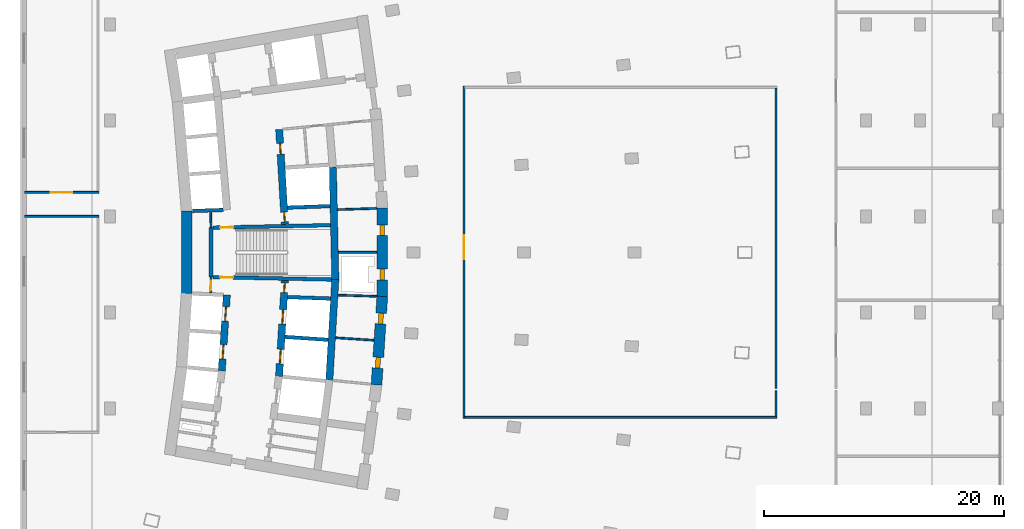
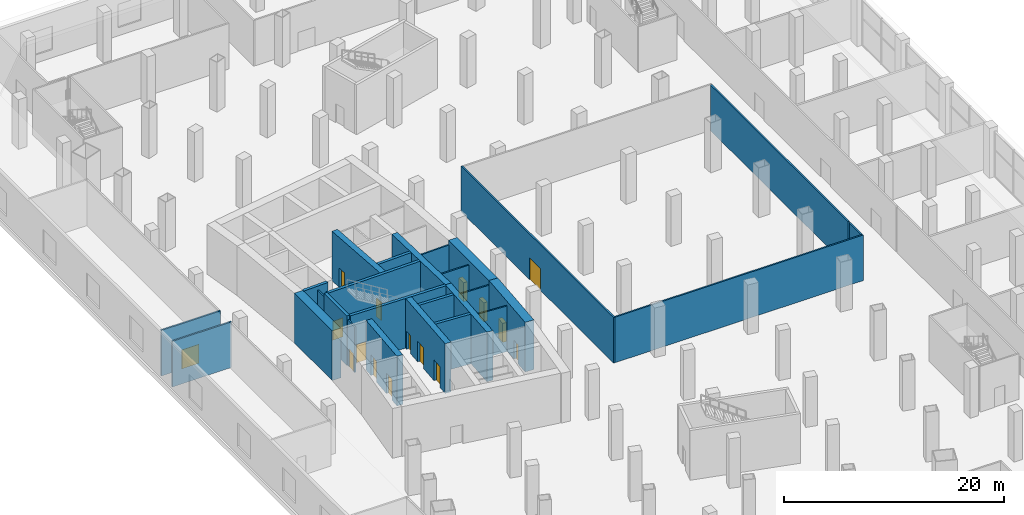
# One storey, part 13 of 26: 27 walls, 16 doors, 16 openings.
"""IFC4 building model written with IfcOpenShell, lengths in metres."""

from ifc_helpers import new_model, si_unit, direction, frame, frame_2d, origin, place, context, subcontext, project, spatial, rectangle, extrude, material, layer, layer_set, type_object, element, fill, save


model = new_model("IFC4")

# Units and contexts
model_context = context("Model", 3, precision=1e-05, world=origin(), true_north=direction((0.0, 1.0)))
body_context = subcontext(model_context, "Body", "Model", "MODEL_VIEW")
ifc_project = project(units=[si_unit("LENGTHUNIT", "METRE"), si_unit("AREAUNIT", "SQUARE_METRE"), si_unit("VOLUMEUNIT", "CUBIC_METRE"), si_unit("PLANEANGLEUNIT", "RADIAN"), si_unit("MASSUNIT", "GRAM", prefix="KILO")], contexts=[model_context])

# Site, building, storey
site_placement = place(None, origin())
site = spatial("IfcSite", under=ifc_project, at=site_placement, CompositionType="ELEMENT")
building_placement = place(site_placement, origin())
building = spatial("IfcBuilding", under=site, at=building_placement, Name="Alderwake Tower", CompositionType="ELEMENT")
storey_placement = place(building_placement, frame((0.0, 0.0, 8.0)))
storey = spatial("IfcBuildingStorey", under=building, at=storey_placement, Name="L01", CompositionType="ELEMENT", Elevation=8.0)

# Wall, opening, door
ifc_material_1 = material(Name="Gypsum shaft wall system, rated")
ifc_layer_1 = layer(ifc_material_1, 0.14990234375)
ifc_layer_set_1 = layer_set([ifc_layer_1], Name="Core room partition 150")
wall_type_1 = type_object("IfcWallType", Name="Core room partition 150", PredefinedType="PARTITIONING", material=ifc_layer_set_1)
wall_1_placement = place(storey_placement, frame((18.918701171875, 58.94384765625, 0.0), z_axis=(0.0, 0.0, 1.0), x_axis=(-0.027348257573, -0.999625966453, 0.0)))
wall_1 = element("IfcWall", 1, at=wall_1_placement, inside=storey, type_object=wall_type_1, Name="CW/L01/PA+24_-37", PredefinedType="PARTITIONING", context=body_context, shape_type="SweptSolid", body=[
    extrude(rectangle(XDim=1.29443359375, YDim=0.14990234375, at=frame_2d((0.647216796875, 0.0))), origin(), (0.0, 0.0, 1.0), 5.050048828125),
])
opening_1_placement = place(wall_1_placement, frame((0.322998046875, 0.0, 0.0)))
opening_1 = element("IfcOpeningElement", 2, at=opening_1_placement, cuts=wall_1, Name="Opening C004", PredefinedType="OPENING", context=body_context, shape_type="SweptSolid", body=[
    extrude(rectangle(XDim=0.800048828125, YDim=2.0, at=frame_2d((0.39990234375, 1.0))), frame((0.0, 0.0849609375, 0.0), z_axis=(0.0, -1.0, 0.0), x_axis=(1.0, 0.0, 0.0)), (0.0, 0.0, 1.0), 0.169921875),
])
ifc_material_2 = material(Name="Painted steel leaf, rated", Category="steel")
door_type_1 = type_object("IfcDoorType", Name="Riser access door 800", OperationType="SINGLE_SWING_LEFT", PredefinedType="DOOR", material=ifc_material_2)
door_1_placement = place(opening_1_placement, origin())
door_1 = element("IfcDoor", 3, at=door_1_placement, inside=storey, type_object=door_type_1, Name="Riser access door", OperationType="SINGLE_SWING_RIGHT", OverallHeight=2.0, OverallWidth=0.800048828125, PredefinedType="DOOR", context=body_context, shape_type="SweptSolid", body=[
    extrude(rectangle(XDim=0.800048828125, YDim=2.0, at=frame_2d((0.39990234375, 1.0))), frame((0.0, 0.02490234375, 0.0), z_axis=(0.0, -1.0, 0.0), x_axis=(1.0, 0.0, 0.0)), (0.0, 0.0, 1.0), 0.050048828125),
])
fill(opening_1, door_1)

# Walls
wall_2_placement = place(storey_placement, frame((18.918701171875, 63.05517578125, 0.0), z_axis=(0.0, 0.0, 1.0), x_axis=(-0.027327648352, 0.999626530078, 0.0)))
element("IfcWall", 4, at=wall_2_placement, inside=storey, type_object=wall_type_1, Name="CW/L01/PA+24_+22", PredefinedType="PARTITIONING", context=body_context, shape_type="SweptSolid", body=[
    extrude(rectangle(XDim=1.29541015625, YDim=0.14990234375, at=frame_2d((0.647705078125, 0.0))), origin(), (0.0, 0.0, 1.0), 5.050048828125),
])
wall_3_placement = place(storey_placement, frame((29.289794921875, 53.883056640625, 0.0), z_axis=(0.0, 0.0, 1.0), x_axis=(0.997885290873, -0.064999586616, 0.0)))
element("IfcWall", 5, at=wall_3_placement, inside=storey, type_object=wall_type_1, Name="CW/L01/PR-68_+128", PredefinedType="PARTITIONING", context=body_context, shape_type="SweptSolid", body=[
    extrude(rectangle(XDim=3.18896484375, YDim=0.14990234375, at=frame_2d((1.594482421875, 0.0))), origin(), (0.0, 0.0, 1.0), 5.050048828125),
])
wall_4_placement = place(storey_placement, frame((29.50048828125, 57.4384765625, 0.0), z_axis=(0.0, 0.0, 1.0), x_axis=(0.999470508275, -0.032537717924, 0.0)))
element("IfcWall", 6, at=wall_4_placement, inside=storey, type_object=wall_type_1, Name="CW/L01/PR-34_+128", PredefinedType="PARTITIONING", context=body_context, shape_type="SweptSolid", body=[
    extrude(rectangle(XDim=3.21142578125, YDim=0.14990234375, at=frame_2d((1.605712890625, 0.0))), origin(), (0.0, 0.0, 1.0), 5.050048828125),
])
wall_5_placement = place(storey_placement, frame((29.526123046875, 61.0, 0.0), z_axis=(0.0, 0.0, 1.0), x_axis=(1.0, 0.0, 0.0)))
element("IfcWall", 7, at=wall_5_placement, inside=storey, type_object=wall_type_1, Name="CW/L01/PR+0_+128", PredefinedType="PARTITIONING", context=body_context, shape_type="SweptSolid", body=[
    extrude(rectangle(XDim=3.18408203125, YDim=0.14990234375, at=frame_2d((1.592041015625, 0.0))), origin(), (0.0, 0.0, 1.0), 5.050048828125),
])
wall_6_placement = place(storey_placement, frame((29.447509765625, 64.559814453125, 0.0), z_axis=(0.0, 0.0, 1.0), x_axis=(0.999470664956, 0.032532904763, 0.0)))
element("IfcWall", 8, at=wall_6_placement, inside=storey, type_object=wall_type_1, Name="CW/L01/PR+34_+128", PredefinedType="PARTITIONING", context=body_context, shape_type="SweptSolid", body=[
    extrude(rectangle(XDim=3.264404296875, YDim=0.14990234375, at=frame_2d((1.63232421875, 0.0))), origin(), (0.0, 0.0, 1.0), 5.050048828125),
])
ifc_material_3 = material(Name="Concrete C70/85", Category="concrete")
ifc_layer_2 = layer(ifc_material_3, 0.89990234375)
ifc_layer_set_2 = layer_set([ifc_layer_2], Name="Core wall outer 900 C70-85")
wall_type_2 = type_object("IfcWallType", Name="Core wall outer 900 C70-85", PredefinedType="SHEAR", material=ifc_layer_set_2)
wall_7_placement = place(storey_placement, frame((16.889404296875, 57.5546875, 0.0), z_axis=(0.0, 0.0, 1.0), x_axis=(0.0, 1.0, 0.0)))
element("IfcWall", 9, at=wall_7_placement, inside=storey, type_object=wall_type_2, Name="Core wall CW.043", PredefinedType="SHEAR", context=body_context, shape_type="SweptSolid", body=[
    extrude(rectangle(XDim=6.89404296875, YDim=0.89990234375, at=frame_2d((3.447021484375, 0.0))), origin(), (0.0, 0.0, 1.0), 5.5),
])

# Wall, openings, doors
wall_8_placement = place(storey_placement, frame((33.191162109375, 57.33349609375, 0.0), z_axis=(0.0, 0.0, 1.0), x_axis=(-0.064976219143, -0.997886812693, 0.0)))
wall_8 = element("IfcWall", 10, at=wall_8_placement, inside=storey, type_object=wall_type_2, Name="Core wall CW.011", PredefinedType="SHEAR", context=body_context, shape_type="SweptSolid", body=[
    extrude(rectangle(XDim=7.39453125, YDim=0.89990234375, at=frame_2d((3.697265625, 0.0))), origin(), (0.0, 0.0, 1.0), 5.5),
])
opening_2_placement = place(wall_8_placement, frame((5.087646484375, 0.0, 0.0)))
opening_2 = element("IfcOpeningElement", 11, at=opening_2_placement, cuts=wall_8, Name="Opening C027", PredefinedType="OPENING", context=body_context, shape_type="SweptSolid", body=[
    extrude(rectangle(XDim=0.89990234375, YDim=2.10009765625, at=frame_2d((0.449951171875, 1.050048828125))), frame((0.0, 0.4599609375, 0.0), z_axis=(0.0, -1.0, 0.0), x_axis=(1.0, 0.0, 0.0)), (0.0, 0.0, 1.0), 0.919921875),
])
opening_3_placement = place(wall_8_placement, frame((1.405517578125, 0.0, 0.0)))
opening_3 = element("IfcOpeningElement", 12, at=opening_3_placement, cuts=wall_8, Name="Opening C029", PredefinedType="OPENING", context=body_context, shape_type="SweptSolid", body=[
    extrude(rectangle(XDim=0.89990234375, YDim=2.10009765625, at=frame_2d((0.449951171875, 1.050048828125))), frame((0.0, 0.4599609375, 0.0), z_axis=(0.0, -1.0, 0.0), x_axis=(1.0, 0.0, 0.0)), (0.0, 0.0, 1.0), 0.919921875),
])
ifc_material_4 = material(Name="Painted steel leaf", Category="steel")
door_type_2 = type_object("IfcDoorType", Name="Core room door 900", OperationType="SINGLE_SWING_LEFT", PredefinedType="DOOR", material=ifc_material_4)
door_2_placement = place(opening_2_placement, origin())
door_2 = element("IfcDoor", 13, at=door_2_placement, inside=storey, type_object=door_type_2, Name="Room door", OperationType="SINGLE_SWING_RIGHT", OverallHeight=2.10009765625, OverallWidth=0.89990234375, PredefinedType="DOOR", context=body_context, shape_type="SweptSolid", body=[
    extrude(rectangle(XDim=0.89990234375, YDim=2.10009765625, at=frame_2d((0.449951171875, 1.050048828125))), frame((0.0, 0.199951171875, 0.0), z_axis=(0.0, -1.0, 0.0), x_axis=(1.0, 0.0, 0.0)), (0.0, 0.0, 1.0), 0.39990234375),
])
fill(opening_2, door_2)
door_3_placement = place(opening_3_placement, origin())
door_3 = element("IfcDoor", 14, at=door_3_placement, inside=storey, type_object=door_type_2, Name="Room door", OperationType="SINGLE_SWING_LEFT", OverallHeight=2.10009765625, OverallWidth=0.89990234375, PredefinedType="DOOR", context=body_context, shape_type="SweptSolid", body=[
    extrude(rectangle(XDim=0.89990234375, YDim=2.10009765625, at=frame_2d((0.449951171875, 1.050048828125))), frame((0.0, 0.199951171875, 0.0), z_axis=(0.0, -1.0, 0.0), x_axis=(1.0, 0.0, 0.0)), (0.0, 0.0, 1.0), 0.39990234375),
])
fill(opening_3, door_3)

wall_9_placement = place(storey_placement, frame((33.190185546875, 64.69677734375, 0.0), z_axis=(0.0, 0.0, 1.0), x_axis=(0.0, -1.0, 0.0)))
wall_9 = element("IfcWall", 15, at=wall_9_placement, inside=storey, type_object=wall_type_2, Name="Core wall CW.013", PredefinedType="SHEAR", context=body_context, shape_type="SweptSolid", body=[
    extrude(rectangle(XDim=7.3935546875, YDim=0.89990234375, at=frame_2d((3.69677734375, 0.0))), origin(), (0.0, 0.0, 1.0), 5.5),
])
opening_4_placement = place(wall_9_placement, frame((5.087646484375, 0.0, 0.0)))
opening_4 = element("IfcOpeningElement", 16, at=opening_4_placement, cuts=wall_9, Name="Opening C031", PredefinedType="OPENING", context=body_context, shape_type="SweptSolid", body=[
    extrude(rectangle(XDim=0.89990234375, YDim=2.10009765625, at=frame_2d((0.449951171875, 1.050048828125))), frame((0.0, 0.4599609375, 0.0), z_axis=(0.0, -1.0, 0.0), x_axis=(1.0, 0.0, 0.0)), (0.0, 0.0, 1.0), 0.919921875),
])
opening_5_placement = place(wall_9_placement, frame((1.405517578125, 0.0, 0.0)))
opening_5 = element("IfcOpeningElement", 17, at=opening_5_placement, cuts=wall_9, Name="Opening C034", PredefinedType="OPENING", context=body_context, shape_type="SweptSolid", body=[
    extrude(rectangle(XDim=0.89990234375, YDim=2.10009765625, at=frame_2d((0.449951171875, 1.050048828125))), frame((0.0, 0.4599609375, 0.0), z_axis=(0.0, -1.0, 0.0), x_axis=(1.0, 0.0, 0.0)), (0.0, 0.0, 1.0), 0.919921875),
])
door_4_placement = place(opening_4_placement, origin())
door_4 = element("IfcDoor", 18, at=door_4_placement, inside=storey, type_object=door_type_2, Name="Room door", OperationType="SINGLE_SWING_RIGHT", OverallHeight=2.10009765625, OverallWidth=0.89990234375, PredefinedType="DOOR", context=body_context, shape_type="SweptSolid", body=[
    extrude(rectangle(XDim=0.89990234375, YDim=2.10009765625, at=frame_2d((0.449951171875, 1.050048828125))), frame((0.0, 0.199951171875, 0.0), z_axis=(0.0, -1.0, 0.0), x_axis=(1.0, 0.0, 0.0)), (0.0, 0.0, 1.0), 0.39990234375),
])
fill(opening_4, door_4)
door_5_placement = place(opening_5_placement, origin())
door_5 = element("IfcDoor", 19, at=door_5_placement, inside=storey, type_object=door_type_2, Name="Room door", OperationType="SINGLE_SWING_LEFT", OverallHeight=2.10009765625, OverallWidth=0.89990234375, PredefinedType="DOOR", context=body_context, shape_type="SweptSolid", body=[
    extrude(rectangle(XDim=0.89990234375, YDim=2.10009765625, at=frame_2d((0.449951171875, 1.050048828125))), frame((0.0, 0.199951171875, 0.0), z_axis=(0.0, -1.0, 0.0), x_axis=(1.0, 0.0, 0.0)), (0.0, 0.0, 1.0), 0.39990234375),
])
fill(opening_5, door_5)

# Walls
ifc_material_5 = material(Name="Concrete C70/85", Category="concrete")
ifc_layer_3 = layer(ifc_material_5, 0.300048828125)
ifc_layer_set_3 = layer_set([ifc_layer_3], Name="Core wall shaft 300 C70-85")
wall_type_3 = type_object("IfcWallType", Name="Core wall shaft 300 C70-85", PredefinedType="SHEAR", material=ifc_layer_set_3)
wall_10_placement = place(storey_placement, frame((25.090087890625, 53.954833984375, 0.0), z_axis=(0.0, 0.0, 1.0), x_axis=(0.997758045734, -0.066924451231, 0.0)))
element("IfcWall", 20, at=wall_10_placement, inside=storey, type_object=wall_type_3, Name="Core wall CW.080", PredefinedType="SHEAR", context=body_context, shape_type="SweptSolid", body=[
    extrude(rectangle(XDim=3.596923828125, YDim=0.300048828125, at=frame_2d((1.79833984375, 0.0))), origin(), (0.0, 0.0, 1.0), 5.5),
])
wall_11_placement = place(storey_placement, frame((25.29052734375, 57.27294921875, 0.0), z_axis=(0.0, 0.0, 1.0), x_axis=(0.99937585491, -0.035325636908, 0.0)))
element("IfcWall", 21, at=wall_11_placement, inside=storey, type_object=wall_type_3, Name="Core wall CW.077", PredefinedType="SHEAR", context=body_context, shape_type="SweptSolid", body=[
    extrude(rectangle(XDim=3.59375, YDim=0.300048828125, at=frame_2d((1.796875, 0.0))), origin(), (0.0, 0.0, 1.0), 5.5),
])
wall_12_placement = place(storey_placement, frame((17.369384765625, 64.446533203125, 0.0), z_axis=(0.0, 0.0, 1.0), x_axis=(0.999371660382, 0.035444102817, 0.0)))
element("IfcWall", 22, at=wall_12_placement, inside=storey, type_object=wall_type_3, Name="Core wall CW.059", PredefinedType="SHEAR", context=body_context, shape_type="SweptSolid", body=[
    extrude(rectangle(XDim=2.5693359375, YDim=0.300048828125, at=frame_2d((1.28466796875, 0.0))), origin(), (0.0, 0.0, 1.0), 5.5),
])
wall_13_placement = place(storey_placement, frame((25.291259765625, 64.72705078125, 0.0), z_axis=(0.0, 0.0, 1.0), x_axis=(0.999373231824, 0.035399767136, 0.0)))
element("IfcWall", 23, at=wall_13_placement, inside=storey, type_object=wall_type_3, Name="Core wall CW.060", PredefinedType="SHEAR", context=body_context, shape_type="SweptSolid", body=[
    extrude(rectangle(XDim=3.5517578125, YDim=0.300048828125, at=frame_2d((1.77587890625, 0.0))), origin(), (0.0, 0.0, 1.0), 5.5),
])

# Wall, openings, doors
ifc_material_6 = material(Name="Concrete C70/85", Category="concrete")
ifc_layer_4 = layer(ifc_material_6, 0.60009765625)
ifc_layer_set_4 = layer_set([ifc_layer_4], Name="Core wall spine 600 C70-85")
wall_type_4 = type_object("IfcWallType", Name="Core wall spine 600 C70-85", PredefinedType="SHEAR", material=ifc_layer_set_4)
wall_14_placement = place(storey_placement, frame((19.813232421875, 51.12646484375, 0.0), z_axis=(0.0, 0.0, 1.0), x_axis=(0.066892179723, 0.997760209816, 0.0)))
wall_14 = element("IfcWall", 24, at=wall_14_placement, inside=storey, type_object=wall_type_4, Name="Core wall CW.032", PredefinedType="SHEAR", context=body_context, shape_type="SweptSolid", body=[
    extrude(rectangle(XDim=6.339599609375, YDim=0.60009765625, at=frame_2d((3.169921875, 0.0))), origin(), (0.0, 0.0, 1.0), 5.5),
])
opening_6_placement = place(wall_14_placement, frame((0.992431640625, 0.0, 0.0)))
opening_6 = element("IfcOpeningElement", 25, at=opening_6_placement, cuts=wall_14, Name="Opening LD-LP2", PredefinedType="OPENING", context=body_context, shape_type="SweptSolid", body=[
    extrude(rectangle(XDim=1.199951171875, YDim=2.300048828125, at=frame_2d((0.60009765625, 1.14990234375))), frame((0.0, 0.31005859375, 0.0), z_axis=(0.0, -1.0, 0.0), x_axis=(1.0, 0.0, 0.0)), (0.0, 0.0, 1.0), 0.6201171875),
])
opening_7_placement = place(wall_14_placement, frame((4.157470703125, 0.0, 0.0)))
opening_7 = element("IfcOpeningElement", 26, at=opening_7_placement, cuts=wall_14, Name="Opening LD-LP3", PredefinedType="OPENING", context=body_context, shape_type="SweptSolid", body=[
    extrude(rectangle(XDim=1.199951171875, YDim=2.300048828125, at=frame_2d((0.60009765625, 1.14990234375))), frame((0.0, 0.31005859375, 0.0), z_axis=(0.0, -1.0, 0.0), x_axis=(1.0, 0.0, 0.0)), (0.0, 0.0, 1.0), 0.6201171875),
])
ifc_material_7 = material(Name="Stainless steel sliding leaf", Category="steel")
door_type_3 = type_object("IfcDoorType", Name="Lift landing door 1200", OperationType="SLIDING_TO_LEFT", PredefinedType="DOOR", material=ifc_material_7)
door_6_placement = place(opening_6_placement, origin())
door_6 = element("IfcDoor", 27, at=door_6_placement, inside=storey, type_object=door_type_3, Name="Lift landing door LP2", OperationType="SLIDING_TO_LEFT", OverallHeight=2.300048828125, OverallWidth=1.199951171875, PredefinedType="DOOR", context=body_context, shape_type="SweptSolid", body=[
    extrude(rectangle(XDim=1.199951171875, YDim=2.300048828125, at=frame_2d((0.60009765625, 1.14990234375))), frame((0.0, 0.050048828125, 0.0), z_axis=(0.0, -1.0, 0.0), x_axis=(1.0, 0.0, 0.0)), (0.0, 0.0, 1.0), 0.10009765625),
])
fill(opening_6, door_6)
door_7_placement = place(opening_7_placement, origin())
door_7 = element("IfcDoor", 28, at=door_7_placement, inside=storey, type_object=door_type_3, Name="Lift landing door LP3", OperationType="SLIDING_TO_LEFT", OverallHeight=2.300048828125, OverallWidth=1.199951171875, PredefinedType="DOOR", context=body_context, shape_type="SweptSolid", body=[
    extrude(rectangle(XDim=1.199951171875, YDim=2.300048828125, at=frame_2d((0.60009765625, 1.14990234375))), frame((0.0, 0.050048828125, 0.0), z_axis=(0.0, -1.0, 0.0), x_axis=(1.0, 0.0, 0.0)), (0.0, 0.0, 1.0), 0.10009765625),
])
fill(opening_7, door_7)

wall_15_placement = place(storey_placement, frame((24.58984375, 50.6533203125, 0.0), z_axis=(0.0, 0.0, 1.0), x_axis=(0.060323309079, 0.998178890972, 0.0)))
wall_15 = element("IfcWall", 29, at=wall_15_placement, inside=storey, type_object=wall_type_4, Name="Core wall CW.046", PredefinedType="SHEAR", context=body_context, shape_type="SweptSolid", body=[
    extrude(rectangle(XDim=8.025634765625, YDim=0.60009765625, at=frame_2d((4.0126953125, 0.0))), origin(), (0.0, 0.0, 1.0), 5.5),
])
opening_8_placement = place(wall_15_placement, frame((1.06884765625, 0.0, 0.0)))
opening_8 = element("IfcOpeningElement", 30, at=opening_8_placement, cuts=wall_15, Name="Opening LD-LP5", PredefinedType="OPENING", context=body_context, shape_type="SweptSolid", body=[
    extrude(rectangle(XDim=1.199951171875, YDim=2.300048828125, at=frame_2d((0.60009765625, 1.14990234375))), frame((0.0, 0.31005859375, 0.0), z_axis=(0.0, -1.0, 0.0), x_axis=(1.0, 0.0, 0.0)), (0.0, 0.0, 1.0), 0.6201171875),
])
opening_9_placement = place(wall_15_placement, frame((4.38525390625, 0.0, 0.0)))
opening_9 = element("IfcOpeningElement", 31, at=opening_9_placement, cuts=wall_15, Name="Opening LD-LP6", PredefinedType="OPENING", context=body_context, shape_type="SweptSolid", body=[
    extrude(rectangle(XDim=1.199951171875, YDim=2.300048828125, at=frame_2d((0.60009765625, 1.14990234375))), frame((0.0, 0.31005859375, 0.0), z_axis=(0.0, -1.0, 0.0), x_axis=(1.0, 0.0, 0.0)), (0.0, 0.0, 1.0), 0.6201171875),
])
opening_10_placement = place(wall_15_placement, frame((7.009521484375, 0.0, 0.0)))
opening_10 = element("IfcOpeningElement", 32, at=opening_10_placement, cuts=wall_15, Name="Opening C006", PredefinedType="OPENING", context=body_context, shape_type="SweptSolid", body=[
    extrude(rectangle(XDim=0.800048828125, YDim=2.0, at=frame_2d((0.39990234375, 1.0))), frame((0.0, 0.31005859375, 0.0), z_axis=(0.0, -1.0, 0.0), x_axis=(1.0, 0.0, 0.0)), (0.0, 0.0, 1.0), 0.6201171875),
])
door_8_placement = place(opening_8_placement, origin())
door_8 = element("IfcDoor", 33, at=door_8_placement, inside=storey, type_object=door_type_3, Name="Lift landing door LP5", OperationType="SLIDING_TO_LEFT", OverallHeight=2.300048828125, OverallWidth=1.199951171875, PredefinedType="DOOR", context=body_context, shape_type="SweptSolid", body=[
    extrude(rectangle(XDim=1.199951171875, YDim=2.300048828125, at=frame_2d((0.60009765625, 1.14990234375))), frame((0.0, 0.050048828125, 0.0), z_axis=(0.0, -1.0, 0.0), x_axis=(1.0, 0.0, 0.0)), (0.0, 0.0, 1.0), 0.10009765625),
])
fill(opening_8, door_8)
door_9_placement = place(opening_9_placement, origin())
door_9 = element("IfcDoor", 34, at=door_9_placement, inside=storey, type_object=door_type_3, Name="Lift landing door LP6", OperationType="SLIDING_TO_LEFT", OverallHeight=2.300048828125, OverallWidth=1.199951171875, PredefinedType="DOOR", context=body_context, shape_type="SweptSolid", body=[
    extrude(rectangle(XDim=1.199951171875, YDim=2.300048828125, at=frame_2d((0.60009765625, 1.14990234375))), frame((0.0, 0.050048828125, 0.0), z_axis=(0.0, -1.0, 0.0), x_axis=(1.0, 0.0, 0.0)), (0.0, 0.0, 1.0), 0.10009765625),
])
fill(opening_9, door_9)
door_10_placement = place(opening_10_placement, origin())
door_10 = element("IfcDoor", 35, at=door_10_placement, inside=storey, type_object=door_type_1, Name="Riser access door", OperationType="SINGLE_SWING_RIGHT", OverallHeight=2.0, OverallWidth=0.800048828125, PredefinedType="DOOR", context=body_context, shape_type="SweptSolid", body=[
    extrude(rectangle(XDim=0.800048828125, YDim=2.0, at=frame_2d((0.39990234375, 1.0))), frame((0.0, 0.050048828125, 0.0), z_axis=(0.0, -1.0, 0.0), x_axis=(1.0, 0.0, 0.0)), (0.0, 0.0, 1.0), 0.10009765625),
])
fill(opening_10, door_10)

wall_16_placement = place(storey_placement, frame((25.073974609375, 63.335693359375, 0.0), z_axis=(0.0, 0.0, 1.0), x_axis=(-0.059848641072, 0.998207463487, 0.0)))
wall_16 = element("IfcWall", 36, at=wall_16_placement, inside=storey, type_object=wall_type_4, Name="Core wall CW.045", PredefinedType="SHEAR", context=body_context, shape_type="SweptSolid", body=[
    extrude(rectangle(XDim=7.913818359375, YDim=0.60009765625, at=frame_2d((3.95703125, 0.0))), origin(), (0.0, 0.0, 1.0), 5.5),
])
opening_11_placement = place(wall_16_placement, frame((0.216064453125, 0.0, 0.0)))
opening_11 = element("IfcOpeningElement", 37, at=opening_11_placement, cuts=wall_16, Name="Opening C005", PredefinedType="OPENING", context=body_context, shape_type="SweptSolid", body=[
    extrude(rectangle(XDim=0.800048828125, YDim=2.0, at=frame_2d((0.39990234375, 1.0))), frame((0.0, 0.31005859375, 0.0), z_axis=(0.0, -1.0, 0.0), x_axis=(1.0, 0.0, 0.0)), (0.0, 0.0, 1.0), 0.6201171875),
])
opening_12_placement = place(wall_16_placement, frame((5.856201171875, 0.0, 0.0)))
opening_12 = element("IfcOpeningElement", 38, at=opening_12_placement, cuts=wall_16, Name="Opening C024", PredefinedType="OPENING", context=body_context, shape_type="SweptSolid", body=[
    extrude(rectangle(XDim=0.89990234375, YDim=2.10009765625, at=frame_2d((0.449951171875, 1.050048828125))), frame((0.0, 0.31005859375, 0.0), z_axis=(0.0, -1.0, 0.0), x_axis=(1.0, 0.0, 0.0)), (0.0, 0.0, 1.0), 0.6201171875),
])
door_11_placement = place(opening_12_placement, origin())
door_11 = element("IfcDoor", 39, at=door_11_placement, inside=storey, type_object=door_type_2, Name="Room door", OperationType="SINGLE_SWING_LEFT", OverallHeight=2.10009765625, OverallWidth=0.89990234375, PredefinedType="DOOR", context=body_context, shape_type="SweptSolid", body=[
    extrude(rectangle(XDim=0.89990234375, YDim=2.10009765625, at=frame_2d((0.449951171875, 1.050048828125))), frame((0.0, 0.050048828125, 0.0), z_axis=(0.0, -1.0, 0.0), x_axis=(1.0, 0.0, 0.0)), (0.0, 0.0, 1.0), 0.10009765625),
])
fill(opening_12, door_11)
door_12_placement = place(opening_11_placement, origin())
door_12 = element("IfcDoor", 40, at=door_12_placement, inside=storey, type_object=door_type_1, Name="Riser access door", OperationType="SINGLE_SWING_LEFT", OverallHeight=2.0, OverallWidth=0.800048828125, PredefinedType="DOOR", context=body_context, shape_type="SweptSolid", body=[
    extrude(rectangle(XDim=0.800048828125, YDim=2.0, at=frame_2d((0.39990234375, 1.0))), frame((0.0, 0.050048828125, 0.0), z_axis=(0.0, -1.0, 0.0), x_axis=(1.0, 0.0, 0.0)), (0.0, 0.0, 1.0), 0.10009765625),
])
fill(opening_11, door_12)

# Walls
wall_17_placement = place(storey_placement, frame((28.77978515625, 50.34423828125, 0.0), z_axis=(0.0, 0.0, 1.0), x_axis=(0.059133840665, 0.998250063305, 0.0)))
element("IfcWall", 41, at=wall_17_placement, inside=storey, type_object=wall_type_4, Name="Core wall CW.004", PredefinedType="SHEAR", context=body_context, shape_type="SweptSolid", body=[
    extrude(rectangle(XDim=8.409912109375, YDim=0.60009765625, at=frame_2d((4.205078125, 0.0))), origin(), (0.0, 0.0, 1.0), 5.5),
])
wall_18_placement = place(storey_placement, frame((29.276611328125, 58.714111328125, 0.0), z_axis=(0.0, 0.0, 1.0), x_axis=(-0.022102514973, 0.999755709577, 0.0)))
element("IfcWall", 42, at=wall_18_placement, inside=storey, type_object=wall_type_4, Name="Core wall CW.007", PredefinedType="SHEAR", context=body_context, shape_type="SweptSolid", body=[
    extrude(rectangle(XDim=9.39990234375, YDim=0.60009765625, at=frame_2d((4.699951171875, 0.0))), origin(), (0.0, 0.0, 1.0), 5.5),
])
ifc_material_8 = material(Name="Concrete C70/85", Category="concrete")
ifc_layer_5 = layer(ifc_material_8, 0.300048828125)
ifc_layer_set_5 = layer_set([ifc_layer_5], Name="Core wall stair enclosure 300 C70-85")
wall_type_5 = type_object("IfcWallType", Name="Core wall stair enclosure 300 C70-85", PredefinedType="SHEAR", material=ifc_layer_set_5)
wall_19_placement = place(storey_placement, frame((18.918701171875, 58.94091796875, 0.0), z_axis=(0.0, 0.0, 1.0), x_axis=(0.0, 1.0, 0.0)))
element("IfcWall", 43, at=wall_19_placement, inside=storey, type_object=wall_type_5, Name="Core wall CW.024", PredefinedType="SHEAR", context=body_context, shape_type="SweptSolid", body=[
    extrude(rectangle(XDim=4.119384765625, YDim=0.300048828125, at=frame_2d((2.0595703125, 0.0))), origin(), (0.0, 0.0, 1.0), 5.5),
])

# Wall, opening, door
wall_20_placement = place(storey_placement, frame((28.976318359375, 58.733154296875, 0.0), z_axis=(0.0, 0.0, 1.0), x_axis=(-0.999783804252, 0.020792901552, 0.0)))
wall_20 = element("IfcWall", 44, at=wall_20_placement, inside=storey, type_object=wall_type_5, Name="Core wall CW.074", PredefinedType="SHEAR", context=body_context, shape_type="SweptSolid", body=[
    extrude(rectangle(XDim=9.909912109375, YDim=0.300048828125, at=frame_2d((4.955078125, 0.0))), origin(), (0.0, 0.0, 1.0), 5.5),
])
opening_13_placement = place(wall_20_placement, frame((8.209716796875, 0.0, 0.0)))
opening_13 = element("IfcOpeningElement", 45, at=opening_13_placement, cuts=wall_20, Name="Opening C063", PredefinedType="OPENING", context=body_context, shape_type="SweptSolid", body=[
    extrude(rectangle(XDim=1.10009765625, YDim=2.10009765625, at=frame_2d((0.550048828125, 1.050048828125))), frame((0.0, 0.159912109375, 0.0), z_axis=(0.0, -1.0, 0.0), x_axis=(1.0, 0.0, 0.0)), (0.0, 0.0, 1.0), 0.320068359375),
])
ifc_material_9 = material(Name="Steel-framed fire door leaf", Category="steel")
door_type_4 = type_object("IfcDoorType", Name="Core stair door 1100 fire-rated", OperationType="SINGLE_SWING_LEFT", PredefinedType="DOOR", material=ifc_material_9)
door_13_placement = place(opening_13_placement, origin())
door_13 = element("IfcDoor", 46, at=door_13_placement, inside=storey, type_object=door_type_4, Name="Stair door", OperationType="SINGLE_SWING_LEFT", OverallHeight=2.10009765625, OverallWidth=1.10009765625, PredefinedType="DOOR", context=body_context, shape_type="SweptSolid", body=[
    extrude(rectangle(XDim=1.10009765625, YDim=2.10009765625, at=frame_2d((0.550048828125, 1.050048828125))), frame((0.0, 0.02490234375, 0.0), z_axis=(0.0, -1.0, 0.0), x_axis=(1.0, 0.0, 0.0)), (0.0, 0.0, 1.0), 0.050048828125),
])
fill(opening_13, door_13)

wall_21_placement = place(storey_placement, frame((19.068603515625, 63.060791015625, 0.0), z_axis=(0.0, 0.0, 1.0), x_axis=(0.999783520771, 0.020806527678, 0.0)))
wall_21 = element("IfcWall", 47, at=wall_21_placement, inside=storey, type_object=wall_type_5, Name="Core wall CW.057", PredefinedType="SHEAR", context=body_context, shape_type="SweptSolid", body=[
    extrude(rectangle(XDim=9.8095703125, YDim=0.300048828125, at=frame_2d((4.90478515625, 0.0))), origin(), (0.0, 0.0, 1.0), 5.5),
])
opening_14_placement = place(wall_21_placement, frame((0.60009765625, 0.0, 0.0)))
opening_14 = element("IfcOpeningElement", 48, at=opening_14_placement, cuts=wall_21, Name="Opening C064", PredefinedType="OPENING", context=body_context, shape_type="SweptSolid", body=[
    extrude(rectangle(XDim=1.10009765625, YDim=2.10009765625, at=frame_2d((0.550048828125, 1.050048828125))), frame((0.0, 0.159912109375, 0.0), z_axis=(0.0, -1.0, 0.0), x_axis=(1.0, 0.0, 0.0)), (0.0, 0.0, 1.0), 0.320068359375),
])
door_14_placement = place(opening_14_placement, origin())
door_14 = element("IfcDoor", 49, at=door_14_placement, inside=storey, type_object=door_type_4, Name="Stair door", OperationType="SINGLE_SWING_RIGHT", OverallHeight=2.10009765625, OverallWidth=1.10009765625, PredefinedType="DOOR", context=body_context, shape_type="SweptSolid", body=[
    extrude(rectangle(XDim=1.10009765625, YDim=2.10009765625, at=frame_2d((0.550048828125, 1.050048828125))), frame((0.0, 0.02490234375, 0.0), z_axis=(0.0, -1.0, 0.0), x_axis=(1.0, 0.0, 0.0)), (0.0, 0.0, 1.0), 0.050048828125),
])
fill(opening_14, door_14)

# Wall
ifc_material_10 = material(Name="Gypsum board on metal studs, rated")
ifc_layer_6 = layer(ifc_material_10, 0.159912109375)
ifc_layer_set_6 = layer_set([ifc_layer_6], Name="Corridor wall 160")
wall_type_6 = type_object("IfcWallType", Name="Corridor wall 160", PredefinedType="PARTITIONING", material=ifc_layer_set_6)
wall_22_placement = place(storey_placement, frame((3.3798828125, 63.9990234375, 0.0), z_axis=(0.0, 0.0, 1.0), x_axis=(1.0, 0.0, 0.0)))
element("IfcWall", 50, at=wall_22_placement, inside=storey, type_object=wall_type_6, Name="WL/L01/W28", PredefinedType="PARTITIONING", context=body_context, shape_type="SweptSolid", body=[
    extrude(rectangle(XDim=6.201171875, YDim=0.159912109375, at=frame_2d((3.1005859375, 0.0))), origin(), (0.0, 0.0, 1.0), 5.050048828125),
])

# Wall, opening, door
wall_23_placement = place(storey_placement, frame((9.5810546875, 66.0, 0.0), z_axis=(0.0, 0.0, 1.0), x_axis=(-1.0, 0.0, 0.0)))
wall_23 = element("IfcWall", 51, at=wall_23_placement, inside=storey, type_object=wall_type_6, Name="WL/L01/W34", PredefinedType="PARTITIONING", context=body_context, shape_type="SweptSolid", body=[
    extrude(rectangle(XDim=6.201171875, YDim=0.159912109375, at=frame_2d((3.1005859375, 0.0))), origin(), (0.0, 0.0, 1.0), 5.050048828125),
])
opening_15_placement = place(wall_23_placement, frame((2.23095703125, 0.0, 0.0)))
opening_15 = element("IfcOpeningElement", 52, at=opening_15_placement, cuts=wall_23, Name="Opening L01-11", PredefinedType="OPENING", context=body_context, shape_type="SweptSolid", body=[
    extrude(rectangle(XDim=1.800048828125, YDim=2.10009765625, at=frame_2d((0.89990234375, 1.050048828125))), frame((0.0, 0.08984375, 0.0), z_axis=(0.0, -1.0, 0.0), x_axis=(1.0, 0.0, 0.0)), (0.0, 0.0, 1.0), 0.179931640625),
])
ifc_material_11 = material(Name="Aluminium framed glazed leaves", Category="aluminium")
door_type_5 = type_object("IfcDoorType", Name="Shopfront door 1800 glazed double", OperationType="DOUBLE_DOOR_SINGLE_SWING", PredefinedType="DOOR", material=ifc_material_11)
door_15_placement = place(opening_15_placement, origin())
door_15 = element("IfcDoor", 53, at=door_15_placement, inside=storey, type_object=door_type_5, Name="DR/L01/11", OperationType="DOUBLE_DOOR_SINGLE_SWING", OverallHeight=2.10009765625, OverallWidth=1.800048828125, PredefinedType="DOOR", context=body_context, shape_type="SweptSolid", body=[
    extrude(rectangle(XDim=1.800048828125, YDim=2.10009765625, at=frame_2d((0.89990234375, 1.050048828125))), frame((0.0, 0.02490234375, 0.0), z_axis=(0.0, -1.0, 0.0), x_axis=(1.0, 0.0, 0.0)), (0.0, 0.0, 1.0), 0.050048828125),
])
fill(opening_15, door_15)

wall_24_placement = place(storey_placement, frame((39.9990234375, 47.169921875, 0.0), z_axis=(0.0, 0.0, 1.0), x_axis=(0.0, 1.0, 0.0)))
wall_24 = element("IfcWall", 54, at=wall_24_placement, inside=storey, type_object=wall_type_6, Name="WL/L01/W44", PredefinedType="PARTITIONING", context=body_context, shape_type="SweptSolid", body=[
    extrude(rectangle(XDim=27.6611328125, YDim=0.159912109375, at=frame_2d((13.83056640625, 0.0))), origin(), (0.0, 0.0, 1.0), 5.050048828125),
])
opening_16_placement = place(wall_24_placement, frame((13.25341796875, 0.0, 0.0)))
opening_16 = element("IfcOpeningElement", 55, at=opening_16_placement, cuts=wall_24, Name="Opening L01-09", PredefinedType="OPENING", context=body_context, shape_type="SweptSolid", body=[
    extrude(rectangle(XDim=2.0, YDim=2.39990234375, at=frame_2d((1.0, 1.199951171875))), frame((0.0, 0.08984375, 0.0), z_axis=(0.0, -1.0, 0.0), x_axis=(1.0, 0.0, 0.0)), (0.0, 0.0, 1.0), 0.179931640625),
])
ifc_material_12 = material(Name="Timber leaves with glazed panels", Category="wood")
door_type_6 = type_object("IfcDoorType", Name="Hall double door 2000", OperationType="DOUBLE_DOOR_SINGLE_SWING", PredefinedType="DOOR", material=ifc_material_12)
door_16_placement = place(opening_16_placement, origin())
door_16 = element("IfcDoor", 56, at=door_16_placement, inside=storey, type_object=door_type_6, Name="DR/L01/09", OperationType="DOUBLE_DOOR_SINGLE_SWING", OverallHeight=2.39990234375, OverallWidth=2.0, PredefinedType="DOOR", context=body_context, shape_type="SweptSolid", body=[
    extrude(rectangle(XDim=2.0, YDim=2.39990234375, at=frame_2d((1.0, 1.199951171875))), frame((0.0, 0.02490234375, 0.0), z_axis=(0.0, -1.0, 0.0), x_axis=(1.0, 0.0, 0.0)), (0.0, 0.0, 1.0), 0.050048828125),
])
fill(opening_16, door_16)

# Walls
wall_25_placement = place(storey_placement, frame((66.080078125, 47.25, 0.0), z_axis=(0.0, 0.0, 1.0), x_axis=(-1.0, 0.0, 0.0)))
element("IfcWall", 57, at=wall_25_placement, inside=storey, type_object=wall_type_6, Name="WL/L01/W57", PredefinedType="PARTITIONING", context=body_context, shape_type="SweptSolid", body=[
    extrude(rectangle(XDim=26.0009765625, YDim=0.159912109375, at=frame_2d((13.00048828125, 0.0))), origin(), (0.0, 0.0, 1.0), 5.050048828125),
])
wall_26_placement = place(storey_placement, frame((66.0, 49.4599609375, 0.0), z_axis=(0.0, 0.0, 1.0), x_axis=(0.0, -1.0, 0.0)))
element("IfcWall", 58, at=wall_26_placement, inside=storey, type_object=wall_type_6, Name="WL/L01/W58", PredefinedType="PARTITIONING", context=body_context, shape_type="SweptSolid", body=[
    extrude(rectangle(XDim=2.1298828125, YDim=0.159912109375, at=frame_2d((1.06494140625, 0.0))), origin(), (0.0, 0.0, 1.0), 5.050048828125),
])
wall_27_placement = place(storey_placement, frame((66.0, 74.6708984375, 0.0), z_axis=(0.0, 0.0, 1.0), x_axis=(0.0, -1.0, 0.0)))
element("IfcWall", 59, at=wall_27_placement, inside=storey, type_object=wall_type_6, Name="WL/L01/W59", PredefinedType="PARTITIONING", context=body_context, shape_type="SweptSolid", body=[
    extrude(rectangle(XDim=25.003173828125, YDim=0.159912109375, at=frame_2d((12.50146484375, 0.0))), origin(), (0.0, 0.0, 1.0), 5.050048828125),
])

save(model, "model.ifc")
